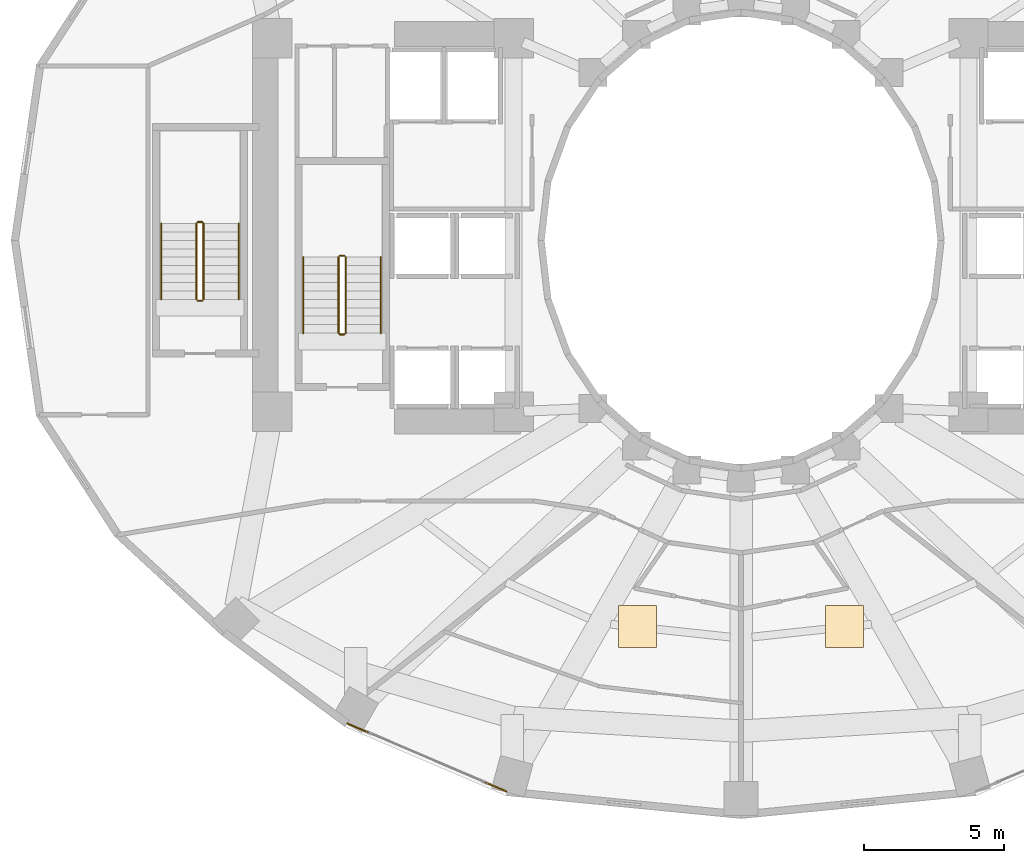
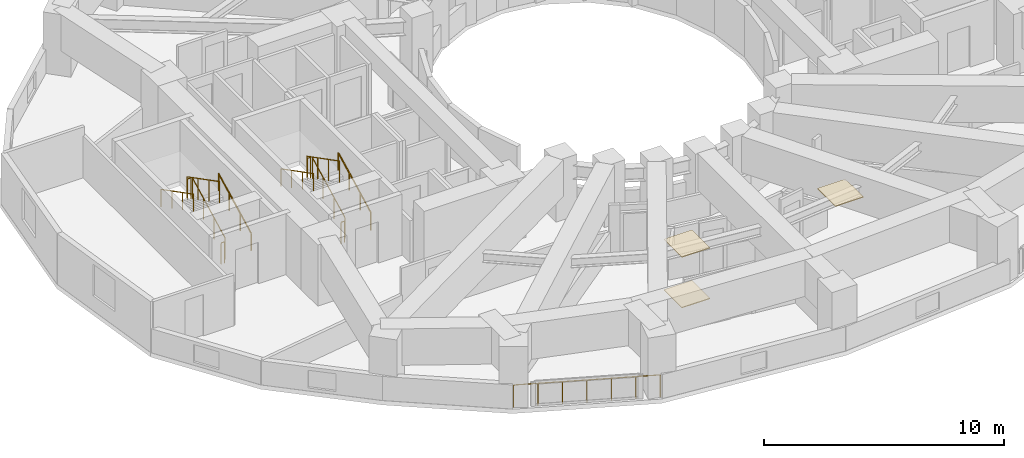
# One storey, part 14 of 16: 13 railings, 3 coverings.
"""IFC4 building model written with IfcOpenShell, lengths in metres."""

import ifcopenshell
import ifcopenshell.guid

model = None  # the IFC model being written
_history = None  # IfcOwnerHistory: only IFC2X3 demands one
_inside = {}  # id of a spatial element -> (the spatial element, [elements in it])
_under = {}  # id of a project, library or spatial element -> (it, [spatial elements below it])
_declared = {}  # id of a project -> (the project, [libraries it declares])
_typed = {}  # id of a type object -> (the type object, [elements of that type])
_made_of = {}  # id of a material, layer set ... -> (it, [elements and type objects made of it])


def new_model(schema):
    """Start an empty IFC model of exactly this schema.

    Asked for "IFC4X3", IfcOpenShell would pick the latest addendum, in which some entities
    have other attributes; the version numbers below select the first issue.
    IFC2X3 requires an IfcOwnerHistory on every rooted entity: one is made here for all.
    """
    global model, _history
    if schema == "IFC4X3":
        model = ifcopenshell.file(schema_version=(4, 3, 0, 0))
    else:
        model = ifcopenshell.file(schema=schema)
    _inside.clear()
    _under.clear()
    _declared.clear()
    _typed.clear()
    _made_of.clear()
    _history = None
    if model.schema == "IFC2X3":
        org = make("IfcOrganization", Name="unknown")
        user = make(
            "IfcPersonAndOrganization",
            ThePerson=make("IfcPerson", FamilyName="unknown"),
            TheOrganization=org,
        )
        app = make(
            "IfcApplication",
            ApplicationDeveloper=org,
            Version="unknown",
            ApplicationFullName="unknown",
            ApplicationIdentifier="unknown",
        )
        _history = make(
            "IfcOwnerHistory",
            OwningUser=user,
            OwningApplication=app,
            ChangeAction="ADDED",
            CreationDate=0,
        )
    return model


def make(cls, **values):
    """One entity of the class cls with the attributes given. An attribute that is None is left unset."""
    return model.create_entity(
        cls, **{name: value for name, value in values.items() if value is not None}
    )


def rooted(cls, **values):
    """An entity with a GlobalId (a new one), such as an element, a storey or a relation."""
    return make(cls, GlobalId=ifcopenshell.guid.new(), OwnerHistory=_history, **values)


def si_unit(unit_type, name, prefix=None):
    """IfcSIUnit, for example si_unit("LENGTHUNIT", "METRE", prefix="MILLI")."""
    return make("IfcSIUnit", UnitType=unit_type, Prefix=prefix, Name=name)


def assignment(units):
    """IfcUnitAssignment: the units of a project."""
    return None if units is None else make("IfcUnitAssignment", Units=units)


def point(xyz):
    """IfcCartesianPoint."""
    return None if xyz is None else make("IfcCartesianPoint", Coordinates=xyz)


def direction(xyz):
    """IfcDirection."""
    return None if xyz is None else make("IfcDirection", DirectionRatios=xyz)


def frame(location, z_axis=None, x_axis=None):
    """IfcAxis2Placement3D, a coordinate frame: its origin and axes. An axis left out is left unset."""
    return make(
        "IfcAxis2Placement3D",
        Location=point(location),
        Axis=direction(z_axis),
        RefDirection=direction(x_axis),
    )


def frame_2d(location, x_axis=None):
    """IfcAxis2Placement2D, a coordinate frame in the plane: its origin and x axis."""
    return make(
        "IfcAxis2Placement2D", Location=point(location), RefDirection=direction(x_axis)
    )


def origin():
    """The frame at (0, 0, 0) with its axes left unset."""
    return frame((0.0, 0.0, 0.0))


def origin_2d():
    """The frame at (0, 0) in the plane with its x axis left unset."""
    return frame_2d((0.0, 0.0))


def place(relative_to, where):
    """IfcLocalPlacement: puts the frame where relative to a parent placement (None: the world)."""
    return make(
        "IfcLocalPlacement", PlacementRelTo=relative_to, RelativePlacement=where
    )


def context(
    kind, dimensions, precision=None, world=None, true_north=None, identifier=None
):
    """IfcGeometricRepresentationContext, for example the 3D "Model" context."""
    return make(
        "IfcGeometricRepresentationContext",
        ContextIdentifier=identifier,
        ContextType=kind,
        CoordinateSpaceDimension=dimensions,
        Precision=precision,
        WorldCoordinateSystem=world,
        TrueNorth=true_north,
    )


def subcontext(parent, identifier, kind, view, scale=None):
    """IfcGeometricRepresentationSubContext, for example "Body" below "Model"."""
    return make(
        "IfcGeometricRepresentationSubContext",
        ContextIdentifier=identifier,
        ContextType=kind,
        ParentContext=parent,
        TargetScale=scale,
        TargetView=view,
    )


def project(units=None, contexts=None):
    """IfcProject with its units and contexts."""
    return rooted(
        "IfcProject",
        Name="project",
        RepresentationContexts=contexts,
        UnitsInContext=assignment(units),
    )


def spatial(cls, under=None, at=None, **own):
    """A site, building, storey or space (cls), placed at a placement, below another one or the project."""
    s = rooted(cls, ObjectPlacement=at, **own)
    if under is not None:
        _under.setdefault(under.id(), (under, []))[1].append(s)
    return s


def polyline(points):
    """IfcPolyline through the points."""
    return make("IfcPolyline", Points=[point(p) for p in points])


def profile(cls, at=None, kind="AREA", **sizes):
    """A parametric profile (cls). Its sizes go by their IFC names, for example OverallWidth=200.0."""
    return make(cls, ProfileType=kind, Position=at, **sizes)


def circle(**sizes):
    """IfcCircleProfileDef."""
    return profile("IfcCircleProfileDef", **sizes)


def outline(outer, holes=None, kind="AREA"):
    """IfcArbitraryClosedProfileDef: a profile drawn as a closed curve; with holes, ...WithVoids."""
    if holes is None:
        return make("IfcArbitraryClosedProfileDef", ProfileType=kind, OuterCurve=outer)
    return make(
        "IfcArbitraryProfileDefWithVoids",
        ProfileType=kind,
        OuterCurve=outer,
        InnerCurves=holes,
    )


def extrude(swept, where, along, depth):
    """IfcExtrudedAreaSolid: the profile swept, set in the frame where, extruded along a direction by depth."""
    return make(
        "IfcExtrudedAreaSolid",
        SweptArea=swept,
        Position=where,
        ExtrudedDirection=direction(along),
        Depth=depth,
    )


def shape(context_of_items, identifier, shape_type, items):
    """IfcShapeRepresentation: the items that make up one representation, for example the "Body"."""
    return make(
        "IfcShapeRepresentation",
        ContextOfItems=context_of_items,
        RepresentationIdentifier=identifier,
        RepresentationType=shape_type,
        Items=items,
    )


def material(Name=None, Category=None):
    """IfcMaterial."""
    return make("IfcMaterial", Name=Name, Category=Category)


def layer(
    of_material, thickness, ventilated=None, Name=None, Category=None, Priority=None
):
    """IfcMaterialLayer: one layer of a wall or slab, of a material (None: an air gap)."""
    return make(
        "IfcMaterialLayer",
        Material=of_material,
        LayerThickness=thickness,
        IsVentilated=ventilated,
        Name=Name,
        Category=Category,
        Priority=Priority,
    )


def layer_set(layers, Name=None):
    """IfcMaterialLayerSet."""
    return make("IfcMaterialLayerSet", MaterialLayers=layers, LayerSetName=Name)


def made_of(thing, what):
    """Note that an element or type object is made of a material, layer set ...; save() writes the relation."""
    if what is not None:
        _made_of.setdefault(what.id(), (what, []))[1].append(thing)
    return thing


def type_object(cls, material=None, **own):
    """A type object (cls), such as IfcWallType, which elements share."""
    return made_of(rooted(cls, **own), material)


def element(
    cls,
    number,
    at=None,
    inside=None,
    cuts=None,
    type_object=None,
    material=None,
    context=None,
    identifier="Body",
    shape_type=None,
    held_by="IfcProductDefinitionShape",
    body=None,
    shapes=None,
    **own,
):
    """One element of the class cls, such as IfcWall. Its Tag is "e" and its number.

    at: its placement. inside: the storey or other place that contains it. cuts: it is an
    opening in that element (IfcRelVoidsElement). A single representation is given by context,
    identifier, shape_type and body (its items); several are given by shapes. held_by: the class
    of the entity that holds the representations. save() writes the other relations.
    """
    e = rooted(cls, Tag="e%d" % number, ObjectPlacement=at, **own)
    if body is not None:
        shapes = [shape(context, identifier, shape_type, body)]
    if shapes is not None:
        e.Representation = make(held_by, Representations=shapes)
    if inside is not None:
        _inside.setdefault(inside.id(), (inside, []))[1].append(e)
    if cuts is not None:
        rooted(
            "IfcRelVoidsElement", RelatingBuildingElement=cuts, RelatedOpeningElement=e
        )
    if type_object is not None:
        _typed.setdefault(type_object.id(), (type_object, []))[1].append(e)
    return made_of(e, material)


def aggregate(whole, parts):
    """IfcRelAggregates: a whole, such as a stair, and the parts it consists of."""
    return rooted("IfcRelAggregates", RelatingObject=whole, RelatedObjects=parts)


def save(model, path):
    """Write the relations noted so far, then the file.

    IfcRelAggregates (storeys below a building ...), IfcRelContainedInSpatialStructure (elements
    in a storey), IfcRelDefinesByType, IfcRelAssociatesMaterial and IfcRelDeclares: one each for
    every whole, place, type object, material and project.
    """
    for whole, parts in _under.values():
        aggregate(whole, parts)
    for where, things in _inside.values():
        rooted(
            "IfcRelContainedInSpatialStructure",
            RelatedElements=things,
            RelatingStructure=where,
        )
    for kind, things in _typed.values():
        rooted("IfcRelDefinesByType", RelatedObjects=things, RelatingType=kind)
    for what, things in _made_of.values():
        rooted("IfcRelAssociatesMaterial", RelatedObjects=things, RelatingMaterial=what)
    for by, libraries in _declared.values():
        rooted("IfcRelDeclares", RelatingContext=by, RelatedDefinitions=libraries)
    model.write(path)


model = new_model("IFC4")

# Units and contexts
model_context = context("Model", 3, precision=1e-05, world=origin(), true_north=direction((0.0, 1.0)))
body_context = subcontext(model_context, "Body", "Model", "MODEL_VIEW")
ifc_project = project(units=[si_unit("LENGTHUNIT", "METRE"), si_unit("AREAUNIT", "SQUARE_METRE"), si_unit("VOLUMEUNIT", "CUBIC_METRE"), si_unit("PLANEANGLEUNIT", "RADIAN"), si_unit("MASSUNIT", "GRAM", prefix="KILO")], contexts=[model_context])

# Site, building, storey
site_placement = place(None, origin())
site = spatial("IfcSite", under=ifc_project, at=site_placement, CompositionType="ELEMENT")
building_placement = place(site_placement, origin())
building = spatial("IfcBuilding", under=site, at=building_placement, Name="Solvane Sanctuary Tower", CompositionType="ELEMENT")
storey_placement = place(building_placement, frame((0.0, 0.0, 33.800048828125)))
storey = spatial("IfcBuildingStorey", under=building, at=storey_placement, Name="L09", CompositionType="ELEMENT", Elevation=33.800048828125)

# Coverings
ifc_material_1 = material(Name="Acoustic Gypsum Partition Board")
ifc_layer_1 = layer(ifc_material_1, 0.02490234375, Name="Acoustic Gypsum Partition Board")
ifc_layer_set_1 = layer_set([ifc_layer_1], Name="Acoustic Gypsum Partition Board")
covering_type_1 = type_object("IfcCoveringType", Name="Covering CLG-ACOUST", PredefinedType="CEILING", material=ifc_layer_set_1)
covering_1_placement = place(storey_placement, frame((0.0, 0.0, 2.570068359375)))
element("IfcCovering", 1, at=covering_1_placement, inside=storey, type_object=covering_type_1, Name="L09 Unit Acoustic Ceiling Panel 4", PredefinedType="CEILING", context=body_context, shape_type="SweptSolid", body=[
    extrude(outline(polyline([(27.64208984375, 8.5048828125), (28.991943359375, 8.5048828125), (28.991943359375, 10.0048828125), (27.64208984375, 10.0048828125), (27.64208984375, 8.5048828125)])), origin(), (0.0, 0.0, 1.0), 0.02978515625),
])
covering_2_placement = place(storey_placement, frame((0.0, 0.0, 2.570068359375)))
element("IfcCovering", 2, at=covering_2_placement, inside=storey, type_object=covering_type_1, Name="L09 Unit Acoustic Ceiling Panel 5", PredefinedType="CEILING", context=body_context, shape_type="SweptSolid", body=[
    extrude(outline(polyline([(35.008056640625, 8.5048828125), (36.35791015625, 8.5048828125), (36.35791015625, 10.0048828125), (35.008056640625, 10.0048828125), (35.008056640625, 8.5048828125)])), origin(), (0.0, 0.0, 1.0), 0.02978515625),
])
ifc_material_2 = material(Name="Ceramic Tile Finish")
ifc_layer_2 = layer(ifc_material_2, 0.030029296875, Name="Ceramic Tile Finish")
ifc_layer_set_2 = layer_set([ifc_layer_2], Name="Ceramic Tile Finish")
covering_type_2 = type_object("IfcCoveringType", Name="Covering FLR-TERRAZZO", PredefinedType="FLOORING", material=ifc_layer_set_2)
covering_3_placement = place(storey_placement, origin())
element("IfcCovering", 3, at=covering_3_placement, inside=storey, type_object=covering_type_2, Name="L09 Unit Terrazzo Inlay 4", PredefinedType="FLOORING", context=body_context, shape_type="SweptSolid", body=[
    extrude(outline(polyline([(27.64208984375, 8.5048828125), (28.991943359375, 8.5048828125), (28.991943359375, 10.0048828125), (27.64208984375, 10.0048828125), (27.64208984375, 8.5048828125)])), origin(), (0.0, 0.0, 1.0), 0.034912109375),
])

# Railings
ifc_material_3 = material(Name="Architectural Stainless Steel 316", Category="steel")
railing_type_1 = type_object("IfcRailingType", Name="Railing GR-BALC-1150", PredefinedType="BALUSTRADE", material=ifc_material_3)
railing_1_placement = place(storey_placement, frame((17.985595703125, 5.791259765625, 0.0)))
element("IfcRailing", 4, at=railing_1_placement, inside=storey, type_object=railing_type_1, Name="L09 Curtain-Wall Perimeter Sill Guard 16", PredefinedType="BALUSTRADE", context=body_context, shape_type="SweptSolid", body=[
    extrude(circle(Radius=0.02392578125, at=origin_2d()), frame((0.0, 0.0, 1.1259765625), z_axis=(0.919604392421, -0.392845722186, 0.0), x_axis=(0.392845722186, 0.919604392421, 0.0)), (0.0, 0.0, 1.0), 6.1494140625),
    extrude(circle(Radius=0.02099609375, at=origin_2d()), origin(), (0.0, 0.0, 1.0), 1.101806640625),
    extrude(circle(Radius=0.02099609375, at=origin_2d()), frame((0.9423828125, -0.402587890625, 0.0)), (0.0, 0.0, 1.0), 1.101806640625),
    extrude(circle(Radius=0.02099609375, at=origin_2d()), frame((1.885009765625, -0.80517578125, 0.0)), (0.0, 0.0, 1.0), 1.101806640625),
    extrude(circle(Radius=0.02099609375, at=origin_2d()), frame((2.82763671875, -1.2080078125, 0.0)), (0.0, 0.0, 1.0), 1.101806640625),
    extrude(circle(Radius=0.02099609375, at=origin_2d()), frame((3.77001953125, -1.610595703125, 0.0)), (0.0, 0.0, 1.0), 1.101806640625),
    extrude(circle(Radius=0.02099609375, at=origin_2d()), frame((4.71240234375, -2.01318359375, 0.0)), (0.0, 0.0, 1.0), 1.101806640625),
    extrude(circle(Radius=0.02099609375, at=origin_2d()), frame((5.655029296875, -2.415771484375, 0.0)), (0.0, 0.0, 1.0), 1.101806640625),
])
railing_2_placement = place(storey_placement, frame((17.919921875, 19.699951171875, 0.155029296875)))
element("IfcRailing", 5, at=railing_2_placement, inside=storey, type_object=railing_type_1, Name="L09 ST-1 stair guard 1", PredefinedType="BALUSTRADE", context=body_context, shape_type="SweptSolid", body=[
    extrude(circle(Radius=0.02392578125, at=origin_2d()), frame((0.0, 0.0, 1.076171875), z_axis=(0.0, 0.888419900624, 0.459031676658), x_axis=(-1.0, 0.0, 0.0)), (0.0, 0.0, 1.0), 3.0390625),
    extrude(circle(Radius=0.02099609375, at=origin_2d()), origin(), (0.0, 0.0, 1.0), 1.052001953125),
    extrude(circle(Radius=0.02099609375, at=origin_2d()), frame((0.0, 0.89990234375, 0.465087890625)), (0.0, 0.0, 1.0), 1.052001953125),
    extrude(circle(Radius=0.02099609375, at=origin_2d()), frame((0.0, 1.800048828125, 0.929931640625)), (0.0, 0.0, 1.0), 1.052001953125),
    extrude(circle(Radius=0.02099609375, at=origin_2d()), frame((0.0, 2.699951171875, 1.39501953125)), (0.0, 0.0, 1.0), 1.052001953125),
])
railing_3_placement = place(storey_placement, frame((17.8701171875, 22.449951171875, 1.550048828125)))
element("IfcRailing", 6, at=railing_3_placement, inside=storey, type_object=railing_type_1, Name="L09 ST-1 stair guard 2", PredefinedType="BALUSTRADE", context=body_context, shape_type="SweptSolid", body=[
    extrude(circle(Radius=0.02392578125, at=origin_2d()), frame((0.0, 0.0, 1.076171875), z_axis=(-1.0, 0.0, 0.0), x_axis=(0.0, -1.0, 0.0)), (0.0, 0.0, 1.0), 0.16015625),
    extrude(circle(Radius=0.02099609375, at=origin_2d()), origin(), (0.0, 0.0, 1.0), 1.052001953125),
    extrude(circle(Radius=0.02099609375, at=origin_2d()), frame((-0.16015625, 0.0, 0.0)), (0.0, 0.0, 1.0), 1.052001953125),
])
railing_4_placement = place(storey_placement, frame((17.659912109375, 22.39990234375, 1.704833984375)))
element("IfcRailing", 7, at=railing_4_placement, inside=storey, type_object=railing_type_1, Name="L09 ST-1 stair guard 3", PredefinedType="BALUSTRADE", context=body_context, shape_type="SweptSolid", body=[
    extrude(circle(Radius=0.02392578125, at=origin_2d()), frame((0.0, 0.0, 1.076171875), z_axis=(0.0, -0.888419900624, 0.459031676658), x_axis=(1.0, 0.0, 0.0)), (0.0, 0.0, 1.0), 3.0390625),
    extrude(circle(Radius=0.02099609375, at=origin_2d()), origin(), (0.0, 0.0, 1.0), 1.052001953125),
    extrude(circle(Radius=0.02099609375, at=origin_2d()), frame((0.0, -0.89990234375, 0.465087890625)), (0.0, 0.0, 1.0), 1.052001953125),
    extrude(circle(Radius=0.02099609375, at=origin_2d()), frame((0.0, -1.800048828125, 0.929931640625)), (0.0, 0.0, 1.0), 1.052001953125),
    extrude(circle(Radius=0.02099609375, at=origin_2d()), frame((0.0, -2.699951171875, 1.39501953125)), (0.0, 0.0, 1.0), 1.052001953125),
])
railing_5_placement = place(storey_placement, frame((17.8701171875, 19.64990234375, 0.0)))
element("IfcRailing", 8, at=railing_5_placement, inside=storey, type_object=railing_type_1, Name="L09 ST-1 stair guard 4", PredefinedType="BALUSTRADE", context=body_context, shape_type="SweptSolid", body=[
    extrude(circle(Radius=0.02392578125, at=origin_2d()), frame((0.0, 0.0, 1.076171875), z_axis=(-1.0, 0.0, 0.0), x_axis=(0.0, -1.0, 0.0)), (0.0, 0.0, 1.0), 0.16015625),
    extrude(circle(Radius=0.02099609375, at=origin_2d()), origin(), (0.0, 0.0, 1.0), 1.052001953125),
    extrude(circle(Radius=0.02099609375, at=origin_2d()), frame((-0.16015625, 0.0, 0.0)), (0.0, 0.0, 1.0), 1.052001953125),
])
railing_6_placement = place(storey_placement, frame((12.860107421875, 20.89990234375, 0.155029296875)))
element("IfcRailing", 9, at=railing_6_placement, inside=storey, type_object=railing_type_1, Name="L09 ST-3 stair guard 1", PredefinedType="BALUSTRADE", context=body_context, shape_type="SweptSolid", body=[
    extrude(circle(Radius=0.02392578125, at=origin_2d()), frame((0.0, 0.0, 1.076171875), z_axis=(0.0, 0.888436826113, 0.458998917216), x_axis=(-1.0, 0.0, 0.0)), (0.0, 0.0, 1.0), 3.039306640625),
    extrude(circle(Radius=0.02099609375, at=origin_2d()), origin(), (0.0, 0.0, 1.0), 1.052001953125),
    extrude(circle(Radius=0.02099609375, at=origin_2d()), frame((0.0, 0.900146484375, 0.465087890625)), (0.0, 0.0, 1.0), 1.052001953125),
    extrude(circle(Radius=0.02099609375, at=origin_2d()), frame((0.0, 1.800048828125, 0.929931640625)), (0.0, 0.0, 1.0), 1.052001953125),
    extrude(circle(Radius=0.02099609375, at=origin_2d()), frame((0.0, 2.7001953125, 1.39501953125)), (0.0, 0.0, 1.0), 1.052001953125),
])
railing_7_placement = place(storey_placement, frame((12.81005859375, 23.64990234375, 1.550048828125)))
element("IfcRailing", 10, at=railing_7_placement, inside=storey, type_object=railing_type_1, Name="L09 ST-3 stair guard 2", PredefinedType="BALUSTRADE", context=body_context, shape_type="SweptSolid", body=[
    extrude(circle(Radius=0.02392578125, at=origin_2d()), frame((0.0, 0.0, 1.076171875), z_axis=(-1.0, 0.0, 0.0), x_axis=(0.0, -1.0, 0.0)), (0.0, 0.0, 1.0), 0.16015625),
    extrude(circle(Radius=0.02099609375, at=origin_2d()), origin(), (0.0, 0.0, 1.0), 1.052001953125),
    extrude(circle(Radius=0.02099609375, at=origin_2d()), frame((-0.16015625, 0.0, 0.0)), (0.0, 0.0, 1.0), 1.052001953125),
])
railing_8_placement = place(storey_placement, frame((12.60009765625, 23.60009765625, 1.704833984375)))
element("IfcRailing", 11, at=railing_8_placement, inside=storey, type_object=railing_type_1, Name="L09 ST-3 stair guard 3", PredefinedType="BALUSTRADE", context=body_context, shape_type="SweptSolid", body=[
    extrude(circle(Radius=0.02392578125, at=origin_2d()), frame((0.0, 0.0, 1.076171875), z_axis=(0.0, -0.888436826113, 0.458998917216), x_axis=(1.0, 0.0, 0.0)), (0.0, 0.0, 1.0), 3.039306640625),
    extrude(circle(Radius=0.02099609375, at=origin_2d()), origin(), (0.0, 0.0, 1.0), 1.052001953125),
    extrude(circle(Radius=0.02099609375, at=origin_2d()), frame((0.0, -0.900146484375, 0.465087890625)), (0.0, 0.0, 1.0), 1.052001953125),
    extrude(circle(Radius=0.02099609375, at=origin_2d()), frame((0.0, -1.800048828125, 0.929931640625)), (0.0, 0.0, 1.0), 1.052001953125),
    extrude(circle(Radius=0.02099609375, at=origin_2d()), frame((0.0, -2.7001953125, 1.39501953125)), (0.0, 0.0, 1.0), 1.052001953125),
])
railing_9_placement = place(storey_placement, frame((12.81005859375, 20.85009765625, 0.0)))
element("IfcRailing", 12, at=railing_9_placement, inside=storey, type_object=railing_type_1, Name="L09 ST-3 stair guard 4", PredefinedType="BALUSTRADE", context=body_context, shape_type="SweptSolid", body=[
    extrude(circle(Radius=0.02392578125, at=origin_2d()), frame((0.0, 0.0, 1.076171875), z_axis=(-1.0, 0.0, 0.0), x_axis=(0.0, -1.0, 0.0)), (0.0, 0.0, 1.0), 0.16015625),
    extrude(circle(Radius=0.02099609375, at=origin_2d()), origin(), (0.0, 0.0, 1.0), 1.052001953125),
    extrude(circle(Radius=0.02099609375, at=origin_2d()), frame((-0.16015625, 0.0, 0.0)), (0.0, 0.0, 1.0), 1.052001953125),
])
railing_type_2 = type_object("IfcRailingType", Name="Railing HR-STAIR-920", PredefinedType="HANDRAIL", material=ifc_material_3)
railing_10_placement = place(storey_placement, frame((19.169921875, 19.699951171875, 0.155029296875)))
element("IfcRailing", 13, at=railing_10_placement, inside=storey, type_object=railing_type_2, Name="L09 ST-1 stair handrail 1", PredefinedType="HANDRAIL", context=body_context, shape_type="SweptSolid", body=[
    extrude(circle(Radius=0.02392578125, at=origin_2d()), frame((0.0, 0.0, 0.8759765625), z_axis=(0.0, 0.888419900624, 0.459031676658), x_axis=(-1.0, 0.0, 0.0)), (0.0, 0.0, 1.0), 3.0390625),
    extrude(circle(Radius=0.02099609375, at=origin_2d()), origin(), (0.0, 0.0, 1.0), 0.851806640625),
    extrude(circle(Radius=0.02099609375, at=origin_2d()), frame((0.0, 0.89990234375, 0.465087890625)), (0.0, 0.0, 1.0), 0.851806640625),
    extrude(circle(Radius=0.02099609375, at=origin_2d()), frame((0.0, 1.800048828125, 0.929931640625)), (0.0, 0.0, 1.0), 0.851806640625),
    extrude(circle(Radius=0.02099609375, at=origin_2d()), frame((0.0, 2.699951171875, 1.39501953125)), (0.0, 0.0, 1.0), 0.851806640625),
])
railing_11_placement = place(storey_placement, frame((16.409912109375, 22.39990234375, 1.704833984375)))
element("IfcRailing", 14, at=railing_11_placement, inside=storey, type_object=railing_type_2, Name="L09 ST-1 stair handrail 2", PredefinedType="HANDRAIL", context=body_context, shape_type="SweptSolid", body=[
    extrude(circle(Radius=0.02392578125, at=origin_2d()), frame((0.0, 0.0, 0.8759765625), z_axis=(0.0, -0.888419900624, 0.459031676658), x_axis=(1.0, 0.0, 0.0)), (0.0, 0.0, 1.0), 3.0390625),
    extrude(circle(Radius=0.02099609375, at=origin_2d()), origin(), (0.0, 0.0, 1.0), 0.851806640625),
    extrude(circle(Radius=0.02099609375, at=origin_2d()), frame((0.0, -0.89990234375, 0.465087890625)), (0.0, 0.0, 1.0), 0.851806640625),
    extrude(circle(Radius=0.02099609375, at=origin_2d()), frame((0.0, -1.800048828125, 0.929931640625)), (0.0, 0.0, 1.0), 0.851806640625),
    extrude(circle(Radius=0.02099609375, at=origin_2d()), frame((0.0, -2.699951171875, 1.39501953125)), (0.0, 0.0, 1.0), 0.851806640625),
])
railing_12_placement = place(storey_placement, frame((14.110107421875, 20.89990234375, 0.155029296875)))
element("IfcRailing", 15, at=railing_12_placement, inside=storey, type_object=railing_type_2, Name="L09 ST-3 stair handrail 1", PredefinedType="HANDRAIL", context=body_context, shape_type="SweptSolid", body=[
    extrude(circle(Radius=0.02392578125, at=origin_2d()), frame((0.0, 0.0, 0.8759765625), z_axis=(0.0, 0.888436826113, 0.458998917216), x_axis=(-1.0, 0.0, 0.0)), (0.0, 0.0, 1.0), 3.039306640625),
    extrude(circle(Radius=0.02099609375, at=origin_2d()), origin(), (0.0, 0.0, 1.0), 0.851806640625),
    extrude(circle(Radius=0.02099609375, at=origin_2d()), frame((0.0, 0.900146484375, 0.465087890625)), (0.0, 0.0, 1.0), 0.851806640625),
    extrude(circle(Radius=0.02099609375, at=origin_2d()), frame((0.0, 1.800048828125, 0.929931640625)), (0.0, 0.0, 1.0), 0.851806640625),
    extrude(circle(Radius=0.02099609375, at=origin_2d()), frame((0.0, 2.7001953125, 1.39501953125)), (0.0, 0.0, 1.0), 0.851806640625),
])
railing_13_placement = place(storey_placement, frame((11.35009765625, 23.60009765625, 1.704833984375)))
element("IfcRailing", 16, at=railing_13_placement, inside=storey, type_object=railing_type_2, Name="L09 ST-3 stair handrail 2", PredefinedType="HANDRAIL", context=body_context, shape_type="SweptSolid", body=[
    extrude(circle(Radius=0.02392578125, at=origin_2d()), frame((0.0, 0.0, 0.8759765625), z_axis=(0.0, -0.888436826113, 0.458998917216), x_axis=(1.0, 0.0, 0.0)), (0.0, 0.0, 1.0), 3.039306640625),
    extrude(circle(Radius=0.02099609375, at=origin_2d()), origin(), (0.0, 0.0, 1.0), 0.851806640625),
    extrude(circle(Radius=0.02099609375, at=origin_2d()), frame((0.0, -0.900146484375, 0.465087890625)), (0.0, 0.0, 1.0), 0.851806640625),
    extrude(circle(Radius=0.02099609375, at=origin_2d()), frame((0.0, -1.800048828125, 0.929931640625)), (0.0, 0.0, 1.0), 0.851806640625),
    extrude(circle(Radius=0.02099609375, at=origin_2d()), frame((0.0, -2.7001953125, 1.39501953125)), (0.0, 0.0, 1.0), 0.851806640625),
])

save(model, "model.ifc")
